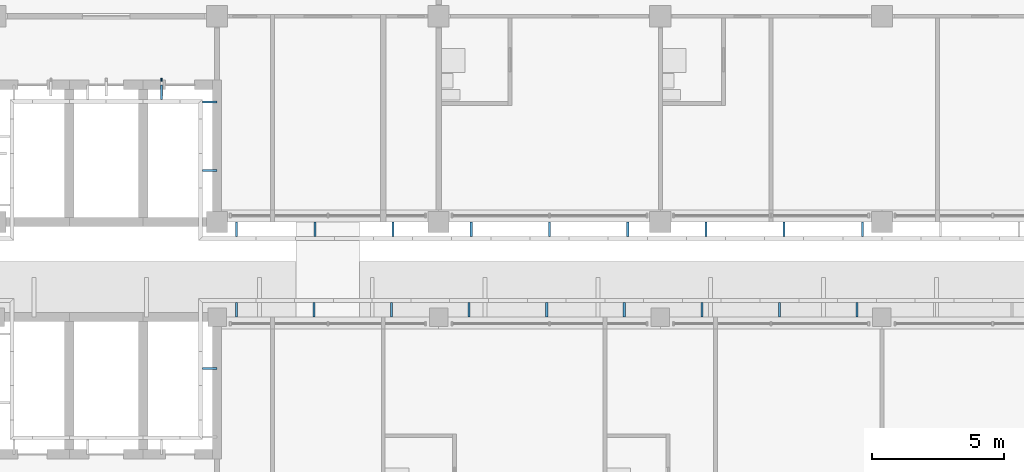
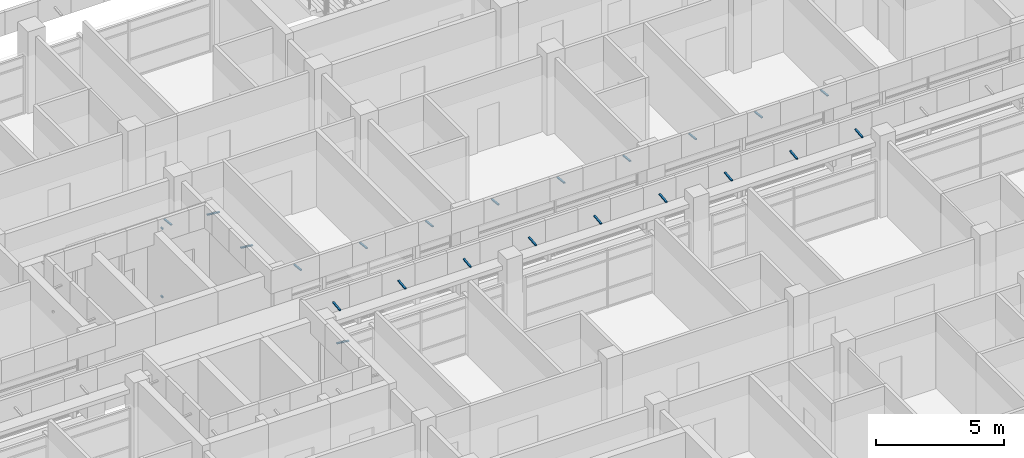
# One storey, part 48 of 71: 24 discrete accessories.
"""IFC4 building model written with IfcOpenShell, lengths in metres."""

from ifc_helpers import new_model, si_unit, direction, frame, origin, origin_2d, place, context, subcontext, project, spatial, rectangle, extrude, material, material_profile, profile_set, type_object, element, save


model = new_model("IFC4")

# Units and contexts
model_context = context("Model", 3, precision=1e-05, world=origin(), true_north=direction((0.0, 1.0)))
body_context = subcontext(model_context, "Body", "Model", "MODEL_VIEW")
ifc_project = project(units=[si_unit("LENGTHUNIT", "METRE"), si_unit("AREAUNIT", "SQUARE_METRE"), si_unit("VOLUMEUNIT", "CUBIC_METRE"), si_unit("PLANEANGLEUNIT", "RADIAN"), si_unit("MASSUNIT", "GRAM", prefix="KILO")], contexts=[model_context])

# Site, building, storey
site_placement = place(None, origin())
site = spatial("IfcSite", under=ifc_project, at=site_placement, CompositionType="ELEMENT")
building_placement = place(site_placement, origin())
building = spatial("IfcBuilding", under=site, at=building_placement, Name="Bougainvillea Quay General Hospital", CompositionType="ELEMENT")
storey_placement = place(building_placement, frame((0.0, 0.0, 24.89990234375)))
storey = spatial("IfcBuildingStorey", under=building, at=storey_placement, Name="L05", CompositionType="ELEMENT", Elevation=24.89990234375)

# Discrete accessories
ifc_material = material(Name="Stainless steel bracket, grade 316", Category="steel")
discrete_accessory_type_1 = type_object("IfcDiscreteAccessoryType", Name="Stainless steel fin arm 60x80", PredefinedType="BRACKET", material=ifc_material)
for number, where, z_axis, x_axis, name in (
    (1, (73.5, 145.7900390625, 0.0), (0.0, 0.0, 1.0), (0.0, -1.0, 0.0), "Fin arm V5A L05 04.1B"),
    (2, (73.5, 145.7900390625, 3.25), (0.0, 0.0, 1.0), (0.0, -1.0, 0.0), "Fin arm V5A L05 04.1T"),
):
    element("IfcDiscreteAccessory", number, at=place(storey_placement, frame(where, z_axis=z_axis, x_axis=x_axis)), inside=storey, type_object=discrete_accessory_type_1, Name=name, PredefinedType="BRACKET", context=body_context, shape_type="SweptSolid", body=[
        extrude(rectangle(XDim=0.1201171875, YDim=0.06005859375, at=origin_2d()), origin(), (0.0, 0.0, 1.0), 0.080078125),
    ])
ifc_material_profile = material_profile(ifc_material, rectangle(XDim=0.080078125, YDim=0.050048828125, at=origin_2d()))
ifc_profile_set = profile_set([ifc_material_profile], Name="Stainless steel bracket, grade 316")
discrete_accessory_type_2 = type_object("IfcDiscreteAccessoryType", Name="Stainless steel stand-off bracket 80x50", PredefinedType="BRACKET", material=ifc_profile_set)
for number, where, z_axis, x_axis, name in (
    (3, (73.5, 145.60009765625, 3.840087890625), (0.0, -0.994091793559, 0.108542645901), (1.0, 0.0, 0.0), "Fascia bracket e0 135"),
    (4, (75.60009765625, 144.949951171875, 3.840087890625), (-0.994091793559, 0.0, 0.108542645901), (0.0, -1.0, 0.0), "Fascia bracket e0 137"),
    (5, (75.60009765625, 142.35009765625, 3.840087890625), (-0.994091793559, 0.0, 0.108542645901), (0.0, -1.0, 0.0), "Fascia bracket e0 139"),
):
    element("IfcDiscreteAccessory", number, at=place(storey_placement, frame(where, z_axis=z_axis, x_axis=x_axis)), inside=storey, type_object=discrete_accessory_type_2, Name=name, PredefinedType="BRACKET", context=body_context, shape_type="SweptSolid", body=[
        extrude(rectangle(XDim=0.080078125, YDim=0.050048828125, at=origin_2d()), origin(), (0.0, 0.0, 1.0), 0.55322265625),
    ])
for number, where, z_axis, x_axis, name in (
    (6, (76.341064453125, 140.39990234375, 3.840087890625), (0.0, -0.994086591779, 0.108590276011), (1.0, 0.0, 0.0), "Fascia bracket e0 141"),
    (7, (79.305908203125, 140.39990234375, 3.840087890625), (0.0, -0.994086591779, 0.108590276011), (1.0, 0.0, 0.0), "Fascia bracket e0 143"),
    (8, (82.2705078125, 140.39990234375, 3.840087890625), (0.0, -0.994086591779, 0.108590276011), (1.0, 0.0, 0.0), "Fascia bracket e0 145"),
    (9, (85.2353515625, 140.39990234375, 3.840087890625), (0.0, -0.994086591779, 0.108590276011), (1.0, 0.0, 0.0), "Fascia bracket e0 147"),
    (10, (88.199951171875, 140.39990234375, 3.840087890625), (0.0, -0.994086591779, 0.108590276011), (1.0, 0.0, 0.0), "Fascia bracket e0 149"),
    (11, (91.164794921875, 140.39990234375, 3.840087890625), (0.0, -0.994086591779, 0.108590276011), (1.0, 0.0, 0.0), "Fascia bracket e0 151"),
    (12, (94.12939453125, 140.39990234375, 3.840087890625), (0.0, -0.994086591779, 0.108590276011), (1.0, 0.0, 0.0), "Fascia bracket e0 153"),
    (13, (97.09423828125, 140.39990234375, 3.840087890625), (0.0, -0.994086591779, 0.108590276011), (1.0, 0.0, 0.0), "Fascia bracket e0 155"),
    (14, (100.058837890625, 140.39990234375, 3.840087890625), (0.0, -0.994086591779, 0.108590276011), (1.0, 0.0, 0.0), "Fascia bracket e0 157"),
):
    element("IfcDiscreteAccessory", number, at=place(storey_placement, frame(where, z_axis=z_axis, x_axis=x_axis)), inside=storey, type_object=discrete_accessory_type_2, Name=name, PredefinedType="BRACKET", context=body_context, shape_type="SweptSolid", body=[
        extrude(rectangle(XDim=0.080078125, YDim=0.050048828125, at=origin_2d()), origin(), (0.0, 0.0, 1.0), 0.552978515625),
    ])
for number, where, z_axis, x_axis, name in (
    (15, (99.85498046875, 136.800048828125, 3.840087890625), (0.0, 0.994091793559, 0.108542645901), (-1.0, 0.0, 0.0), "Fascia bracket e0 165"),
    (16, (96.9150390625, 136.800048828125, 3.840087890625), (0.0, 0.994091793559, 0.108542645901), (-1.0, 0.0, 0.0), "Fascia bracket e0 167"),
    (17, (93.97509765625, 136.800048828125, 3.840087890625), (0.0, 0.994091793559, 0.108542645901), (-1.0, 0.0, 0.0), "Fascia bracket e0 169"),
    (18, (91.034912109375, 136.800048828125, 3.840087890625), (0.0, 0.994091793559, 0.108542645901), (-1.0, 0.0, 0.0), "Fascia bracket e0 171"),
    (19, (88.094970703125, 136.800048828125, 3.840087890625), (0.0, 0.994091793559, 0.108542645901), (-1.0, 0.0, 0.0), "Fascia bracket e0 173"),
    (20, (85.155029296875, 136.800048828125, 3.840087890625), (0.0, 0.994091793559, 0.108542645901), (-1.0, 0.0, 0.0), "Fascia bracket e0 175"),
    (21, (82.215087890625, 136.800048828125, 3.840087890625), (0.0, 0.994091793559, 0.108542645901), (-1.0, 0.0, 0.0), "Fascia bracket e0 177"),
    (22, (79.27490234375, 136.800048828125, 3.840087890625), (0.0, 0.994091793559, 0.108542645901), (-1.0, 0.0, 0.0), "Fascia bracket e0 179"),
    (23, (76.3349609375, 136.800048828125, 3.840087890625), (0.0, 0.994091793559, 0.108542645901), (-1.0, 0.0, 0.0), "Fascia bracket e0 181"),
    (24, (75.60009765625, 134.85009765625, 3.840087890625), (-0.994091793559, 0.0, 0.108542645901), (0.0, -1.0, 0.0), "Fascia bracket e0 183"),
):
    element("IfcDiscreteAccessory", number, at=place(storey_placement, frame(where, z_axis=z_axis, x_axis=x_axis)), inside=storey, type_object=discrete_accessory_type_2, Name=name, PredefinedType="BRACKET", context=body_context, shape_type="SweptSolid", body=[
        extrude(rectangle(XDim=0.080078125, YDim=0.050048828125, at=origin_2d()), origin(), (0.0, 0.0, 1.0), 0.55322265625),
    ])

save(model, "model.ifc")
